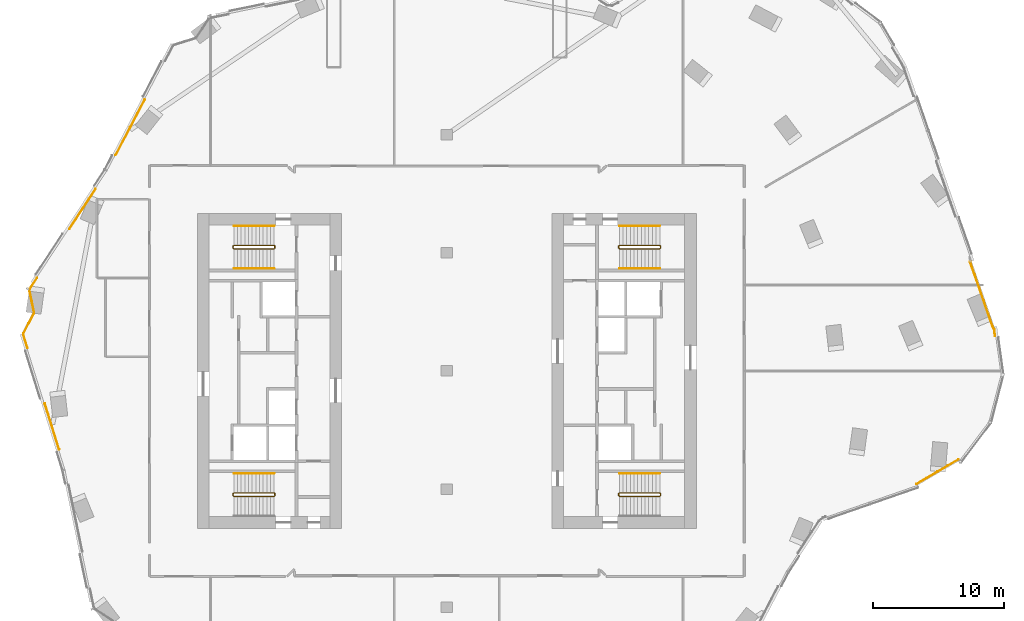
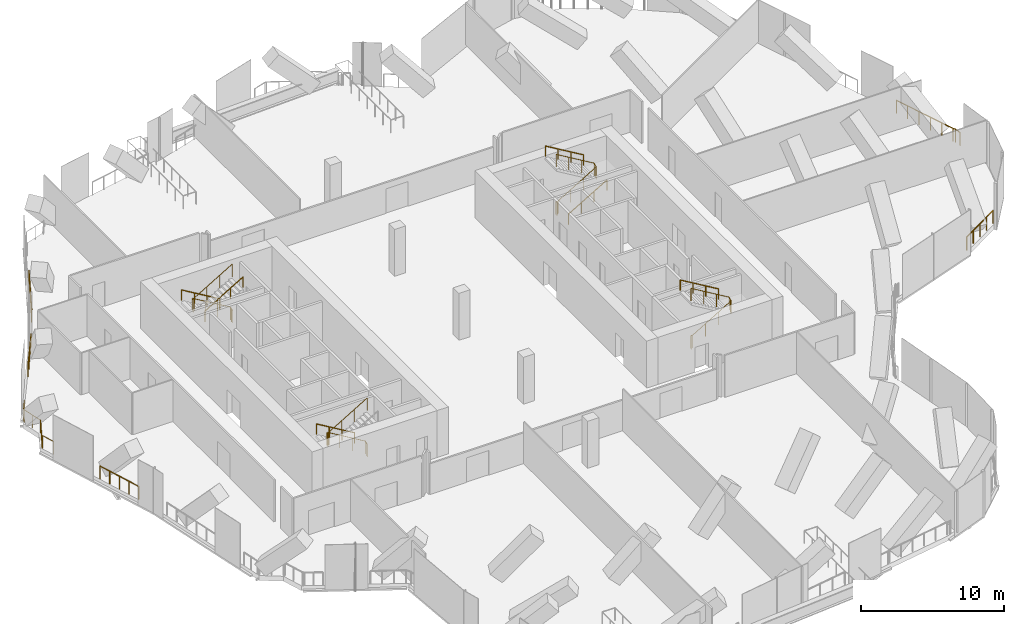
# One storey, part 24 of 26: 16 railings.
"""IFC4 building model written with IfcOpenShell, lengths in metres."""

from ifc_helpers import new_model, si_unit, direction, frame, origin, origin_2d, place, context, subcontext, project, spatial, circle, extrude, material, type_object, element, save


model = new_model("IFC4")

# Units and contexts
model_context = context("Model", 3, precision=1e-05, world=origin(), true_north=direction((0.0, 1.0)))
body_context = subcontext(model_context, "Body", "Model", "MODEL_VIEW")
ifc_project = project(units=[si_unit("LENGTHUNIT", "METRE"), si_unit("AREAUNIT", "SQUARE_METRE"), si_unit("VOLUMEUNIT", "CUBIC_METRE"), si_unit("PLANEANGLEUNIT", "RADIAN"), si_unit("MASSUNIT", "GRAM", prefix="KILO")], contexts=[model_context])

# Site, building, storey
site_placement = place(None, origin())
site = spatial("IfcSite", under=ifc_project, at=site_placement, CompositionType="ELEMENT")
building_placement = place(site_placement, origin())
building = spatial("IfcBuilding", under=site, at=building_placement, Name="Orlundy Tower", CompositionType="ELEMENT")
storey_placement = place(building_placement, frame((0.0, 0.0, 249.5)))
storey = spatial("IfcBuildingStorey", under=building, at=storey_placement, Name="L66", CompositionType="ELEMENT", Elevation=249.5)

# Railings
ifc_material_1 = material(Name="Steel balustrade", Category="steel")
railing_type_1 = type_object("IfcRailingType", Name="Stair Guard 1100", PredefinedType="GUARDRAIL", material=ifc_material_1)
railing_1_placement = place(storey_placement, frame((-13.090087890625, 9.5, 0.0)))
element("IfcRailing", 1, at=railing_1_placement, inside=storey, type_object=railing_type_1, Name="L66 ST-W1 stair guard 1", PredefinedType="GUARDRAIL", context=body_context, shape_type="SweptSolid", body=[
    extrude(circle(Radius=0.02392578125, at=origin_2d()), frame((0.0, 0.0, 1.076171875), z_axis=(0.0, -1.0, 0.0), x_axis=(1.0, 0.0, 0.0)), (0.0, 0.0, 1.0), 0.14990234375),
    extrude(circle(Radius=0.02392578125, at=origin_2d()), frame((0.0, -0.14990234375, 1.076171875), z_axis=(-0.1878875253, 0.754313153044, 0.629054802844), x_axis=(-0.970351222016, -0.241699205484, 0.0)), (0.0, 0.0, 1.0), 0.26513671875),
    extrude(circle(Radius=0.02392578125, at=origin_2d()), frame((-0.0498046875, 0.050048828125, 1.24267578125), z_axis=(-0.859308565015, 0.0, 0.511457515432), x_axis=(0.0, -1.0, 0.0)), (0.0, 0.0, 1.0), 3.58447265625),
    extrude(circle(Radius=0.02392578125, at=origin_2d()), frame((-3.1298828125, 0.050048828125, 3.076171875), z_axis=(-0.707106781187, -0.707106781187, 0.0), x_axis=(0.707106781187, -0.707106781187, 0.0)), (0.0, 0.0, 1.0), 0.07080078125),
    extrude(circle(Radius=0.02392578125, at=origin_2d()), frame((-3.179931640625, 0.0, 3.076171875), z_axis=(0.0, -1.0, 0.0), x_axis=(1.0, 0.0, 0.0)), (0.0, 0.0, 1.0), 0.14990234375),
    extrude(circle(Radius=0.02392578125, at=origin_2d()), frame((-3.179931640625, -0.14990234375, 3.076171875), z_axis=(0.27628659633, -0.27628659633, 0.920506074601), x_axis=(0.707106781187, 0.707106781187, 0.0)), (0.0, 0.0, 1.0), 0.18115234375),
    extrude(circle(Radius=0.02392578125, at=origin_2d()), frame((-3.1298828125, -0.199951171875, 3.24267578125), z_axis=(0.859308565015, 0.0, 0.511457515432), x_axis=(0.0, 1.0, 0.0)), (0.0, 0.0, 1.0), 3.58447265625),
    extrude(circle(Radius=0.02099609375, at=origin_2d()), origin(), (0.0, 0.0, 1.0), 1.052001953125),
    extrude(circle(Radius=0.02099609375, at=origin_2d()), frame((0.0, -0.14990234375, 0.0)), (0.0, 0.0, 1.0), 1.052001953125),
    extrude(circle(Radius=0.02099609375, at=origin_2d()), frame((-0.0498046875, 0.050048828125, 0.166748046875)), (0.0, 0.0, 1.0), 1.052001953125),
    extrude(circle(Radius=0.02099609375, at=origin_2d()), frame((-1.076416015625, 0.050048828125, 0.77783203125)), (0.0, 0.0, 1.0), 1.052001953125),
    extrude(circle(Radius=0.02099609375, at=origin_2d()), frame((-2.103271484375, 0.050048828125, 1.388916015625)), (0.0, 0.0, 1.0), 1.052001953125),
    extrude(circle(Radius=0.02099609375, at=origin_2d()), frame((-3.1298828125, 0.050048828125, 2.0)), (0.0, 0.0, 1.0), 1.052001953125),
    extrude(circle(Radius=0.02099609375, at=origin_2d()), frame((-3.179931640625, 0.0, 2.0)), (0.0, 0.0, 1.0), 1.052001953125),
    extrude(circle(Radius=0.02099609375, at=origin_2d()), frame((-3.179931640625, -0.14990234375, 2.0)), (0.0, 0.0, 1.0), 1.052001953125),
    extrude(circle(Radius=0.02099609375, at=origin_2d()), frame((-3.1298828125, -0.199951171875, 2.166748046875)), (0.0, 0.0, 1.0), 1.052001953125),
    extrude(circle(Radius=0.02099609375, at=origin_2d()), frame((-2.103271484375, -0.199951171875, 2.77783203125)), (0.0, 0.0, 1.0), 1.052001953125),
    extrude(circle(Radius=0.02099609375, at=origin_2d()), frame((-1.076416015625, -0.199951171875, 3.388916015625)), (0.0, 0.0, 1.0), 1.052001953125),
    extrude(circle(Radius=0.02099609375, at=origin_2d()), frame((-0.0498046875, -0.199951171875, 4.0)), (0.0, 0.0, 1.0), 1.052001953125),
])
railing_2_placement = place(storey_placement, frame((-13.090087890625, -9.35009765625, 0.0)))
element("IfcRailing", 2, at=railing_2_placement, inside=storey, type_object=railing_type_1, Name="L66 ST-W2 stair guard 1", PredefinedType="GUARDRAIL", context=body_context, shape_type="SweptSolid", body=[
    extrude(circle(Radius=0.02392578125, at=origin_2d()), frame((0.0, 0.0, 1.076171875), z_axis=(0.0, -1.0, 0.0), x_axis=(1.0, 0.0, 0.0)), (0.0, 0.0, 1.0), 0.14990234375),
    extrude(circle(Radius=0.02392578125, at=origin_2d()), frame((0.0, -0.14990234375, 1.076171875), z_axis=(-0.1878875253, 0.754313153044, 0.629054802844), x_axis=(-0.970351222016, -0.241699205484, 0.0)), (0.0, 0.0, 1.0), 0.26513671875),
    extrude(circle(Radius=0.02392578125, at=origin_2d()), frame((-0.0498046875, 0.050048828125, 1.24267578125), z_axis=(-0.859308565015, 0.0, 0.511457515432), x_axis=(0.0, -1.0, 0.0)), (0.0, 0.0, 1.0), 3.58447265625),
    extrude(circle(Radius=0.02392578125, at=origin_2d()), frame((-3.1298828125, 0.050048828125, 3.076171875), z_axis=(-0.707106781187, -0.707106781187, 0.0), x_axis=(0.707106781187, -0.707106781187, 0.0)), (0.0, 0.0, 1.0), 0.07080078125),
    extrude(circle(Radius=0.02392578125, at=origin_2d()), frame((-3.179931640625, 0.0, 3.076171875), z_axis=(0.0, -1.0, 0.0), x_axis=(1.0, 0.0, 0.0)), (0.0, 0.0, 1.0), 0.14990234375),
    extrude(circle(Radius=0.02392578125, at=origin_2d()), frame((-3.179931640625, -0.14990234375, 3.076171875), z_axis=(0.27628659633, -0.27628659633, 0.920506074601), x_axis=(0.707106781187, 0.707106781187, 0.0)), (0.0, 0.0, 1.0), 0.18115234375),
    extrude(circle(Radius=0.02392578125, at=origin_2d()), frame((-3.1298828125, -0.199951171875, 3.24267578125), z_axis=(0.859308565015, 0.0, 0.511457515432), x_axis=(0.0, 1.0, 0.0)), (0.0, 0.0, 1.0), 3.58447265625),
    extrude(circle(Radius=0.02099609375, at=origin_2d()), origin(), (0.0, 0.0, 1.0), 1.052001953125),
    extrude(circle(Radius=0.02099609375, at=origin_2d()), frame((0.0, -0.14990234375, 0.0)), (0.0, 0.0, 1.0), 1.052001953125),
    extrude(circle(Radius=0.02099609375, at=origin_2d()), frame((-0.0498046875, 0.050048828125, 0.166748046875)), (0.0, 0.0, 1.0), 1.052001953125),
    extrude(circle(Radius=0.02099609375, at=origin_2d()), frame((-1.076416015625, 0.050048828125, 0.77783203125)), (0.0, 0.0, 1.0), 1.052001953125),
    extrude(circle(Radius=0.02099609375, at=origin_2d()), frame((-2.103271484375, 0.050048828125, 1.388916015625)), (0.0, 0.0, 1.0), 1.052001953125),
    extrude(circle(Radius=0.02099609375, at=origin_2d()), frame((-3.1298828125, 0.050048828125, 2.0)), (0.0, 0.0, 1.0), 1.052001953125),
    extrude(circle(Radius=0.02099609375, at=origin_2d()), frame((-3.179931640625, 0.0, 2.0)), (0.0, 0.0, 1.0), 1.052001953125),
    extrude(circle(Radius=0.02099609375, at=origin_2d()), frame((-3.179931640625, -0.14990234375, 2.0)), (0.0, 0.0, 1.0), 1.052001953125),
    extrude(circle(Radius=0.02099609375, at=origin_2d()), frame((-3.1298828125, -0.199951171875, 2.166748046875)), (0.0, 0.0, 1.0), 1.052001953125),
    extrude(circle(Radius=0.02099609375, at=origin_2d()), frame((-2.103271484375, -0.199951171875, 2.77783203125)), (0.0, 0.0, 1.0), 1.052001953125),
    extrude(circle(Radius=0.02099609375, at=origin_2d()), frame((-1.076416015625, -0.199951171875, 3.388916015625)), (0.0, 0.0, 1.0), 1.052001953125),
    extrude(circle(Radius=0.02099609375, at=origin_2d()), frame((-0.0498046875, -0.199951171875, 4.0)), (0.0, 0.0, 1.0), 1.052001953125),
])
railing_3_placement = place(storey_placement, frame((13.090087890625, -9.5, 0.0)))
element("IfcRailing", 3, at=railing_3_placement, inside=storey, type_object=railing_type_1, Name="L66 ST-E1 stair guard 1", PredefinedType="GUARDRAIL", context=body_context, shape_type="SweptSolid", body=[
    extrude(circle(Radius=0.02392578125, at=origin_2d()), frame((0.0, 0.0, 1.076171875), z_axis=(0.0, 1.0, 0.0), x_axis=(-1.0, 0.0, 0.0)), (0.0, 0.0, 1.0), 0.14990234375),
    extrude(circle(Radius=0.02392578125, at=origin_2d()), frame((0.0, 0.14990234375, 1.076171875), z_axis=(0.1878875253, -0.754313153044, 0.629054802844), x_axis=(0.970351222016, 0.241699205484, 0.0)), (0.0, 0.0, 1.0), 0.26513671875),
    extrude(circle(Radius=0.02392578125, at=origin_2d()), frame((0.0498046875, -0.050048828125, 1.24267578125), z_axis=(0.859308565015, 0.0, 0.511457515432), x_axis=(0.0, 1.0, 0.0)), (0.0, 0.0, 1.0), 3.58447265625),
    extrude(circle(Radius=0.02392578125, at=origin_2d()), frame((3.1298828125, -0.050048828125, 3.076171875), z_axis=(0.707106781187, 0.707106781187, 0.0), x_axis=(-0.707106781187, 0.707106781187, 0.0)), (0.0, 0.0, 1.0), 0.07080078125),
    extrude(circle(Radius=0.02392578125, at=origin_2d()), frame((3.179931640625, 0.0, 3.076171875), z_axis=(0.0, 1.0, 0.0), x_axis=(-1.0, 0.0, 0.0)), (0.0, 0.0, 1.0), 0.14990234375),
    extrude(circle(Radius=0.02392578125, at=origin_2d()), frame((3.179931640625, 0.14990234375, 3.076171875), z_axis=(-0.27628659633, 0.27628659633, 0.920506074601), x_axis=(-0.707106781187, -0.707106781187, 0.0)), (0.0, 0.0, 1.0), 0.18115234375),
    extrude(circle(Radius=0.02392578125, at=origin_2d()), frame((3.1298828125, 0.199951171875, 3.24267578125), z_axis=(-0.859308565015, 0.0, 0.511457515432), x_axis=(0.0, -1.0, 0.0)), (0.0, 0.0, 1.0), 3.58447265625),
    extrude(circle(Radius=0.02099609375, at=origin_2d()), origin(), (0.0, 0.0, 1.0), 1.052001953125),
    extrude(circle(Radius=0.02099609375, at=origin_2d()), frame((0.0, 0.14990234375, 0.0)), (0.0, 0.0, 1.0), 1.052001953125),
    extrude(circle(Radius=0.02099609375, at=origin_2d()), frame((0.0498046875, -0.050048828125, 0.166748046875)), (0.0, 0.0, 1.0), 1.052001953125),
    extrude(circle(Radius=0.02099609375, at=origin_2d()), frame((1.076416015625, -0.050048828125, 0.77783203125)), (0.0, 0.0, 1.0), 1.052001953125),
    extrude(circle(Radius=0.02099609375, at=origin_2d()), frame((2.103271484375, -0.050048828125, 1.388916015625)), (0.0, 0.0, 1.0), 1.052001953125),
    extrude(circle(Radius=0.02099609375, at=origin_2d()), frame((3.1298828125, -0.050048828125, 2.0)), (0.0, 0.0, 1.0), 1.052001953125),
    extrude(circle(Radius=0.02099609375, at=origin_2d()), frame((3.179931640625, 0.0, 2.0)), (0.0, 0.0, 1.0), 1.052001953125),
    extrude(circle(Radius=0.02099609375, at=origin_2d()), frame((3.179931640625, 0.14990234375, 2.0)), (0.0, 0.0, 1.0), 1.052001953125),
    extrude(circle(Radius=0.02099609375, at=origin_2d()), frame((3.1298828125, 0.199951171875, 2.166748046875)), (0.0, 0.0, 1.0), 1.052001953125),
    extrude(circle(Radius=0.02099609375, at=origin_2d()), frame((2.103271484375, 0.199951171875, 2.77783203125)), (0.0, 0.0, 1.0), 1.052001953125),
    extrude(circle(Radius=0.02099609375, at=origin_2d()), frame((1.076416015625, 0.199951171875, 3.388916015625)), (0.0, 0.0, 1.0), 1.052001953125),
    extrude(circle(Radius=0.02099609375, at=origin_2d()), frame((0.0498046875, 0.199951171875, 4.0)), (0.0, 0.0, 1.0), 1.052001953125),
])
railing_4_placement = place(storey_placement, frame((13.090087890625, 9.35009765625, 0.0)))
element("IfcRailing", 4, at=railing_4_placement, inside=storey, type_object=railing_type_1, Name="L66 ST-E2 stair guard 1", PredefinedType="GUARDRAIL", context=body_context, shape_type="SweptSolid", body=[
    extrude(circle(Radius=0.02392578125, at=origin_2d()), frame((0.0, 0.0, 1.076171875), z_axis=(0.0, 1.0, 0.0), x_axis=(-1.0, 0.0, 0.0)), (0.0, 0.0, 1.0), 0.14990234375),
    extrude(circle(Radius=0.02392578125, at=origin_2d()), frame((0.0, 0.14990234375, 1.076171875), z_axis=(0.1878875253, -0.754313153044, 0.629054802844), x_axis=(0.970351222016, 0.241699205484, 0.0)), (0.0, 0.0, 1.0), 0.26513671875),
    extrude(circle(Radius=0.02392578125, at=origin_2d()), frame((0.0498046875, -0.050048828125, 1.24267578125), z_axis=(0.859308565015, 0.0, 0.511457515432), x_axis=(0.0, 1.0, 0.0)), (0.0, 0.0, 1.0), 3.58447265625),
    extrude(circle(Radius=0.02392578125, at=origin_2d()), frame((3.1298828125, -0.050048828125, 3.076171875), z_axis=(0.707106781187, 0.707106781187, 0.0), x_axis=(-0.707106781187, 0.707106781187, 0.0)), (0.0, 0.0, 1.0), 0.07080078125),
    extrude(circle(Radius=0.02392578125, at=origin_2d()), frame((3.179931640625, 0.0, 3.076171875), z_axis=(0.0, 1.0, 0.0), x_axis=(-1.0, 0.0, 0.0)), (0.0, 0.0, 1.0), 0.14990234375),
    extrude(circle(Radius=0.02392578125, at=origin_2d()), frame((3.179931640625, 0.14990234375, 3.076171875), z_axis=(-0.27628659633, 0.27628659633, 0.920506074601), x_axis=(-0.707106781187, -0.707106781187, 0.0)), (0.0, 0.0, 1.0), 0.18115234375),
    extrude(circle(Radius=0.02392578125, at=origin_2d()), frame((3.1298828125, 0.199951171875, 3.24267578125), z_axis=(-0.859308565015, 0.0, 0.511457515432), x_axis=(0.0, -1.0, 0.0)), (0.0, 0.0, 1.0), 3.58447265625),
    extrude(circle(Radius=0.02099609375, at=origin_2d()), origin(), (0.0, 0.0, 1.0), 1.052001953125),
    extrude(circle(Radius=0.02099609375, at=origin_2d()), frame((0.0, 0.14990234375, 0.0)), (0.0, 0.0, 1.0), 1.052001953125),
    extrude(circle(Radius=0.02099609375, at=origin_2d()), frame((0.0498046875, -0.050048828125, 0.166748046875)), (0.0, 0.0, 1.0), 1.052001953125),
    extrude(circle(Radius=0.02099609375, at=origin_2d()), frame((1.076416015625, -0.050048828125, 0.77783203125)), (0.0, 0.0, 1.0), 1.052001953125),
    extrude(circle(Radius=0.02099609375, at=origin_2d()), frame((2.103271484375, -0.050048828125, 1.388916015625)), (0.0, 0.0, 1.0), 1.052001953125),
    extrude(circle(Radius=0.02099609375, at=origin_2d()), frame((3.1298828125, -0.050048828125, 2.0)), (0.0, 0.0, 1.0), 1.052001953125),
    extrude(circle(Radius=0.02099609375, at=origin_2d()), frame((3.179931640625, 0.0, 2.0)), (0.0, 0.0, 1.0), 1.052001953125),
    extrude(circle(Radius=0.02099609375, at=origin_2d()), frame((3.179931640625, 0.14990234375, 2.0)), (0.0, 0.0, 1.0), 1.052001953125),
    extrude(circle(Radius=0.02099609375, at=origin_2d()), frame((3.1298828125, 0.199951171875, 2.166748046875)), (0.0, 0.0, 1.0), 1.052001953125),
    extrude(circle(Radius=0.02099609375, at=origin_2d()), frame((2.103271484375, 0.199951171875, 2.77783203125)), (0.0, 0.0, 1.0), 1.052001953125),
    extrude(circle(Radius=0.02099609375, at=origin_2d()), frame((1.076416015625, 0.199951171875, 3.388916015625)), (0.0, 0.0, 1.0), 1.052001953125),
    extrude(circle(Radius=0.02099609375, at=origin_2d()), frame((0.0498046875, 0.199951171875, 4.0)), (0.0, 0.0, 1.0), 1.052001953125),
])
ifc_material_2 = material(Name="Steel handrail", Category="steel")
railing_type_2 = type_object("IfcRailingType", Name="Stair Handrail 900", PredefinedType="HANDRAIL", material=ifc_material_2)
railing_5_placement = place(storey_placement, frame((-13.139892578125, 11.050048828125, 0.166748046875)))
element("IfcRailing", 5, at=railing_5_placement, inside=storey, type_object=railing_type_2, Name="L66 ST-W1 stair handrail 1", PredefinedType="HANDRAIL", context=body_context, shape_type="SweptSolid", body=[
    extrude(circle(Radius=0.02392578125, at=origin_2d()), frame((0.0, 0.0, 0.8759765625), z_axis=(-0.859308565015, 0.0, 0.511457515432), x_axis=(0.0, -1.0, 0.0)), (0.0, 0.0, 1.0), 3.58447265625),
    extrude(circle(Radius=0.02099609375, at=origin_2d()), origin(), (0.0, 0.0, 1.0), 0.851806640625),
    extrude(circle(Radius=0.02099609375, at=origin_2d()), frame((-1.026611328125, 0.0, 0.611083984375)), (0.0, 0.0, 1.0), 0.851806640625),
    extrude(circle(Radius=0.02099609375, at=origin_2d()), frame((-2.053466796875, 0.0, 1.22216796875)), (0.0, 0.0, 1.0), 0.851806640625),
    extrude(circle(Radius=0.02099609375, at=origin_2d()), frame((-3.080078125, 0.0, 1.833251953125)), (0.0, 0.0, 1.0), 0.851806640625),
])
railing_6_placement = place(storey_placement, frame((-16.219970703125, 7.800048828125, 2.166748046875)))
element("IfcRailing", 6, at=railing_6_placement, inside=storey, type_object=railing_type_2, Name="L66 ST-W1 stair handrail 2", PredefinedType="HANDRAIL", context=body_context, shape_type="SweptSolid", body=[
    extrude(circle(Radius=0.02392578125, at=origin_2d()), frame((0.0, 0.0, 0.8759765625), z_axis=(0.859308565015, 0.0, 0.511457515432), x_axis=(0.0, 1.0, 0.0)), (0.0, 0.0, 1.0), 3.58447265625),
    extrude(circle(Radius=0.02099609375, at=origin_2d()), origin(), (0.0, 0.0, 1.0), 0.851806640625),
    extrude(circle(Radius=0.02099609375, at=origin_2d()), frame((1.026611328125, 0.0, 0.611083984375)), (0.0, 0.0, 1.0), 0.851806640625),
    extrude(circle(Radius=0.02099609375, at=origin_2d()), frame((2.053466796875, 0.0, 1.22216796875)), (0.0, 0.0, 1.0), 0.851806640625),
    extrude(circle(Radius=0.02099609375, at=origin_2d()), frame((3.080078125, 0.0, 1.833251953125)), (0.0, 0.0, 1.0), 0.851806640625),
])
for number, where, name in (
    (7, (-13.139892578125, -7.800048828125, 0.166748046875), "L66 ST-W2 stair handrail 1"),
    (8, (16.219970703125, -7.800048828125, 2.166748046875), "L66 ST-E1 stair handrail 2"),
):
    element("IfcRailing", number, at=place(storey_placement, frame(where)), inside=storey, type_object=railing_type_2, Name=name, PredefinedType="HANDRAIL", context=body_context, shape_type="SweptSolid", body=[
        extrude(circle(Radius=0.02392578125, at=origin_2d()), frame((0.0, 0.0, 0.8759765625), z_axis=(-0.859308565015, 0.0, 0.511457515432), x_axis=(0.0, -1.0, 0.0)), (0.0, 0.0, 1.0), 3.58447265625),
        extrude(circle(Radius=0.02099609375, at=origin_2d()), origin(), (0.0, 0.0, 1.0), 0.851806640625),
        extrude(circle(Radius=0.02099609375, at=origin_2d()), frame((-1.026611328125, 0.0, 0.611083984375)), (0.0, 0.0, 1.0), 0.851806640625),
        extrude(circle(Radius=0.02099609375, at=origin_2d()), frame((-2.053466796875, 0.0, 1.22216796875)), (0.0, 0.0, 1.0), 0.851806640625),
        extrude(circle(Radius=0.02099609375, at=origin_2d()), frame((-3.080078125, 0.0, 1.833251953125)), (0.0, 0.0, 1.0), 0.851806640625),
    ])
railing_7_placement = place(storey_placement, frame((13.139892578125, 7.800048828125, 0.166748046875)))
element("IfcRailing", 9, at=railing_7_placement, inside=storey, type_object=railing_type_2, Name="L66 ST-E2 stair handrail 1", PredefinedType="HANDRAIL", context=body_context, shape_type="SweptSolid", body=[
    extrude(circle(Radius=0.02392578125, at=origin_2d()), frame((0.0, 0.0, 0.8759765625), z_axis=(0.859308565015, 0.0, 0.511457515432), x_axis=(0.0, 1.0, 0.0)), (0.0, 0.0, 1.0), 3.58447265625),
    extrude(circle(Radius=0.02099609375, at=origin_2d()), origin(), (0.0, 0.0, 1.0), 0.851806640625),
    extrude(circle(Radius=0.02099609375, at=origin_2d()), frame((1.026611328125, 0.0, 0.611083984375)), (0.0, 0.0, 1.0), 0.851806640625),
    extrude(circle(Radius=0.02099609375, at=origin_2d()), frame((2.053466796875, 0.0, 1.22216796875)), (0.0, 0.0, 1.0), 0.851806640625),
    extrude(circle(Radius=0.02099609375, at=origin_2d()), frame((3.080078125, 0.0, 1.833251953125)), (0.0, 0.0, 1.0), 0.851806640625),
])
railing_8_placement = place(storey_placement, frame((16.219970703125, 11.050048828125, 2.166748046875)))
element("IfcRailing", 10, at=railing_8_placement, inside=storey, type_object=railing_type_2, Name="L66 ST-E2 stair handrail 2", PredefinedType="HANDRAIL", context=body_context, shape_type="SweptSolid", body=[
    extrude(circle(Radius=0.02392578125, at=origin_2d()), frame((0.0, 0.0, 0.8759765625), z_axis=(-0.859308565015, 0.0, 0.511457515432), x_axis=(0.0, -1.0, 0.0)), (0.0, 0.0, 1.0), 3.58447265625),
    extrude(circle(Radius=0.02099609375, at=origin_2d()), origin(), (0.0, 0.0, 1.0), 0.851806640625),
    extrude(circle(Radius=0.02099609375, at=origin_2d()), frame((-1.026611328125, 0.0, 0.611083984375)), (0.0, 0.0, 1.0), 0.851806640625),
    extrude(circle(Radius=0.02099609375, at=origin_2d()), frame((-2.053466796875, 0.0, 1.22216796875)), (0.0, 0.0, 1.0), 0.851806640625),
    extrude(circle(Radius=0.02099609375, at=origin_2d()), frame((-3.080078125, 0.0, 1.833251953125)), (0.0, 0.0, 1.0), 0.851806640625),
])
ifc_material_3 = material(Name="Stainless steel bronze finish", Category="steel")
railing_type_3 = type_object("IfcRailingType", Name="TG1 terrace guard", PredefinedType="GUARDRAIL", material=ifc_material_3)
railing_9_placement = place(storey_placement, frame((39.865234375, 8.298583984375, 0.0)))
element("IfcRailing", 11, at=railing_9_placement, inside=storey, type_object=railing_type_3, Name="Guard TG-L66-E03", PredefinedType="GUARDRAIL", context=body_context, shape_type="SweptSolid", body=[
    extrude(circle(Radius=0.02490234375, at=origin_2d()), frame((0.0, 0.0, 1.09521484375), z_axis=(0.328269900961, -0.944583967746, 0.0), x_axis=(0.944583967746, 0.328269900961, 0.0)), (0.0, 0.0, 1.0), 5.25),
    extrude(circle(Radius=0.02490234375, at=origin_2d()), frame((1.723388671875, -4.958984375, 1.09521484375), z_axis=(0.524873431164, -0.851180287165, 0.0), x_axis=(0.851180287165, 0.524873431164, 0.0)), (0.0, 0.0, 1.0), 0.193115234375),
    extrude(circle(Radius=0.02490234375, at=origin_2d()), frame((1.82470703125, -5.123291015625, 1.09521484375), z_axis=(0.138098600526, -0.990418485557, 0.0), x_axis=(0.990418485557, 0.138098600526, 0.0)), (0.0, 0.0, 1.0), 0.514404296875),
    extrude(circle(Radius=0.02001953125, at=origin_2d()), origin(), (0.0, 0.0, 1.0), 1.070068359375),
    extrude(circle(Radius=0.02001953125, at=origin_2d()), frame((0.3447265625, -0.99169921875, 0.0)), (0.0, 0.0, 1.0), 1.070068359375),
    extrude(circle(Radius=0.02001953125, at=origin_2d()), frame((0.689453125, -1.983642578125, 0.0)), (0.0, 0.0, 1.0), 1.070068359375),
    extrude(circle(Radius=0.02001953125, at=origin_2d()), frame((1.033935546875, -2.975341796875, 0.0)), (0.0, 0.0, 1.0), 1.070068359375),
    extrude(circle(Radius=0.02001953125, at=origin_2d()), frame((1.378662109375, -3.96728515625, 0.0)), (0.0, 0.0, 1.0), 1.070068359375),
    extrude(circle(Radius=0.02001953125, at=origin_2d()), frame((1.723388671875, -4.958984375, 0.0)), (0.0, 0.0, 1.0), 1.070068359375),
    extrude(circle(Radius=0.02001953125, at=origin_2d()), frame((1.82470703125, -5.123291015625, 0.0)), (0.0, 0.0, 1.0), 1.070068359375),
    extrude(circle(Radius=0.02001953125, at=origin_2d()), frame((1.895751953125, -5.6328125, 0.0)), (0.0, 0.0, 1.0), 1.070068359375),
])
railing_10_placement = place(storey_placement, frame((-31.9267578125, 1.734619140625, 0.0)))
element("IfcRailing", 12, at=railing_10_placement, inside=storey, type_object=railing_type_3, Name="Guard TG-L66-E04", PredefinedType="GUARDRAIL", context=body_context, shape_type="SweptSolid", body=[
    extrude(circle(Radius=0.02490234375, at=origin_2d()), frame((0.0, 0.0, 1.09521484375), z_axis=(-0.297972944214, 0.954574315869, 0.0), x_axis=(-0.954574315869, -0.297972944214, 0.0)), (0.0, 0.0, 1.0), 1.05859375),
    extrude(circle(Radius=0.02490234375, at=origin_2d()), frame((-0.3154296875, 1.010498046875, 1.09521484375), z_axis=(0.069141071765, 0.997606892616, 0.0), x_axis=(-0.997606892616, 0.069141071765, 0.0)), (0.0, 0.0, 1.0), 0.12353515625),
    extrude(circle(Radius=0.02490234375, at=origin_2d()), frame((-0.306884765625, 1.1337890625, 1.09521484375), z_axis=(0.464483097661, 0.885581984905, 0.0), x_axis=(-0.885581984905, 0.464483097661, 0.0)), (0.0, 0.0, 1.0), 1.705078125),
    extrude(circle(Radius=0.02490234375, at=origin_2d()), frame((0.485107421875, 2.643798828125, 1.09521484375), z_axis=(0.139301230674, 0.990250052832, 0.0), x_axis=(-0.990250052832, 0.139301230674, 0.0)), (0.0, 0.0, 1.0), 0.08056640625),
    extrude(circle(Radius=0.02490234375, at=origin_2d()), frame((0.496337890625, 2.7236328125, 1.09521484375), z_axis=(-0.20242085398, 0.979298625484, 0.0), x_axis=(-0.979298625484, -0.20242085398, 0.0)), (0.0, 0.0, 1.0), 1.704345703125),
    extrude(circle(Radius=0.02490234375, at=origin_2d()), frame((0.1513671875, 4.392578125, 1.09521484375), z_axis=(0.207504208355, 0.978234125102, 0.0), x_axis=(-0.978234125102, 0.207504208355, 0.0)), (0.0, 0.0, 1.0), 0.12353515625),
    extrude(circle(Radius=0.02490234375, at=origin_2d()), frame((0.177001953125, 4.513427734375, 1.09521484375), z_axis=(0.549603155161, 0.835425862561, 0.0), x_axis=(-0.835425862561, 0.549603155161, 0.0)), (0.0, 0.0, 1.0), 1.0078125),
    extrude(circle(Radius=0.02001953125, at=origin_2d()), origin(), (0.0, 0.0, 1.0), 1.070068359375),
    extrude(circle(Radius=0.02001953125, at=origin_2d()), frame((-0.3154296875, 1.010498046875, 0.0)), (0.0, 0.0, 1.0), 1.070068359375),
    extrude(circle(Radius=0.02001953125, at=origin_2d()), frame((-0.306884765625, 1.1337890625, 0.0)), (0.0, 0.0, 1.0), 1.070068359375),
    extrude(circle(Radius=0.02001953125, at=origin_2d()), frame((0.089111328125, 1.888671875, 0.0)), (0.0, 0.0, 1.0), 1.070068359375),
    extrude(circle(Radius=0.02001953125, at=origin_2d()), frame((0.485107421875, 2.643798828125, 0.0)), (0.0, 0.0, 1.0), 1.070068359375),
    extrude(circle(Radius=0.02001953125, at=origin_2d()), frame((0.496337890625, 2.7236328125, 0.0)), (0.0, 0.0, 1.0), 1.070068359375),
    extrude(circle(Radius=0.02001953125, at=origin_2d()), frame((0.32373046875, 3.55810546875, 0.0)), (0.0, 0.0, 1.0), 1.070068359375),
    extrude(circle(Radius=0.02001953125, at=origin_2d()), frame((0.1513671875, 4.392578125, 0.0)), (0.0, 0.0, 1.0), 1.070068359375),
    extrude(circle(Radius=0.02001953125, at=origin_2d()), frame((0.177001953125, 4.513427734375, 0.0)), (0.0, 0.0, 1.0), 1.070068359375),
    extrude(circle(Radius=0.02001953125, at=origin_2d()), frame((0.73095703125, 5.35546875, 0.0)), (0.0, 0.0, 1.0), 1.070068359375),
])
railing_11_placement = place(storey_placement, frame((-25.213134765625, 16.430908203125, 0.0)))
element("IfcRailing", 13, at=railing_11_placement, inside=storey, type_object=railing_type_3, Name="Guard TG-L66-E09", PredefinedType="GUARDRAIL", context=body_context, shape_type="SweptSolid", body=[
    extrude(circle(Radius=0.02490234375, at=origin_2d()), frame((0.0, 0.0, 1.09521484375), z_axis=(0.464326318134, 0.885664197248, 0.0), x_axis=(-0.885664197248, 0.464326318134, 0.0)), (0.0, 0.0, 1.0), 4.7705078125),
    extrude(circle(Radius=0.02001953125, at=origin_2d()), origin(), (0.0, 0.0, 1.0), 1.070068359375),
    extrude(circle(Radius=0.02001953125, at=origin_2d()), frame((0.5537109375, 1.05615234375, 0.0)), (0.0, 0.0, 1.0), 1.070068359375),
    extrude(circle(Radius=0.02001953125, at=origin_2d()), frame((1.107421875, 2.112548828125, 0.0)), (0.0, 0.0, 1.0), 1.070068359375),
    extrude(circle(Radius=0.02001953125, at=origin_2d()), frame((1.661376953125, 3.1689453125, 0.0)), (0.0, 0.0, 1.0), 1.070068359375),
    extrude(circle(Radius=0.02001953125, at=origin_2d()), frame((2.215087890625, 4.22509765625, 0.0)), (0.0, 0.0, 1.0), 1.070068359375),
])
railing_12_placement = place(storey_placement, frame((38.983154296875, -6.7333984375, 0.0)))
element("IfcRailing", 14, at=railing_12_placement, inside=storey, type_object=railing_type_3, Name="Guard TG-L66-E013", PredefinedType="GUARDRAIL", context=body_context, shape_type="SweptSolid", body=[
    extrude(circle(Radius=0.02490234375, at=origin_2d()), frame((0.0, 0.0, 1.09521484375), z_axis=(-0.862267597763, -0.506452949293, 0.0), x_axis=(0.506452949293, -0.862267597763, 0.0)), (0.0, 0.0, 1.0), 3.70654296875),
    extrude(circle(Radius=0.02001953125, at=origin_2d()), origin(), (0.0, 0.0, 1.0), 1.070068359375),
    extrude(circle(Radius=0.02001953125, at=origin_2d()), frame((-0.799072265625, -0.46923828125, 0.0)), (0.0, 0.0, 1.0), 1.070068359375),
    extrude(circle(Radius=0.02001953125, at=origin_2d()), frame((-1.59814453125, -0.9384765625, 0.0)), (0.0, 0.0, 1.0), 1.070068359375),
    extrude(circle(Radius=0.02001953125, at=origin_2d()), frame((-2.39697265625, -1.407958984375, 0.0)), (0.0, 0.0, 1.0), 1.070068359375),
    extrude(circle(Radius=0.02001953125, at=origin_2d()), frame((-3.196044921875, -1.877197265625, 0.0)), (0.0, 0.0, 1.0), 1.070068359375),
])
railing_13_placement = place(storey_placement, frame((-29.515380859375, -5.989990234375, 0.0)))
element("IfcRailing", 15, at=railing_13_placement, inside=storey, type_object=railing_type_3, Name="Guard TG-L66-E014", PredefinedType="GUARDRAIL", context=body_context, shape_type="SweptSolid", body=[
    extrude(circle(Radius=0.02490234375, at=origin_2d()), frame((0.0, 0.0, 1.09521484375), z_axis=(-0.298014272566, 0.954561414131, 0.0), x_axis=(-0.954561414131, -0.298014272566, 0.0)), (0.0, 0.0, 1.0), 3.67919921875),
    extrude(circle(Radius=0.02001953125, at=origin_2d()), origin(), (0.0, 0.0, 1.0), 1.070068359375),
    extrude(circle(Radius=0.02001953125, at=origin_2d()), frame((-0.274169921875, 0.8779296875, 0.0)), (0.0, 0.0, 1.0), 1.070068359375),
    extrude(circle(Radius=0.02001953125, at=origin_2d()), frame((-0.54833984375, 1.755859375, 0.0)), (0.0, 0.0, 1.0), 1.070068359375),
    extrude(circle(Radius=0.02001953125, at=origin_2d()), frame((-0.822265625, 2.634033203125, 0.0)), (0.0, 0.0, 1.0), 1.070068359375),
    extrude(circle(Radius=0.02001953125, at=origin_2d()), frame((-1.096435546875, 3.511962890625, 0.0)), (0.0, 0.0, 1.0), 1.070068359375),
])
railing_14_placement = place(storey_placement, frame((-28.74365234375, 10.818115234375, 0.0)))
element("IfcRailing", 16, at=railing_14_placement, inside=storey, type_object=railing_type_3, Name="Guard TG-L66-E016", PredefinedType="GUARDRAIL", context=body_context, shape_type="SweptSolid", body=[
    extrude(circle(Radius=0.02490234375, at=origin_2d()), frame((0.0, 0.0, 1.09521484375), z_axis=(0.549538945636, 0.835468100665, 0.0), x_axis=(-0.835468100665, 0.549538945636, 0.0)), (0.0, 0.0, 1.0), 3.642578125),
    extrude(circle(Radius=0.02001953125, at=origin_2d()), origin(), (0.0, 0.0, 1.0), 1.070068359375),
    extrude(circle(Radius=0.02001953125, at=origin_2d()), frame((0.50048828125, 0.7607421875, 0.0)), (0.0, 0.0, 1.0), 1.070068359375),
    extrude(circle(Radius=0.02001953125, at=origin_2d()), frame((1.0009765625, 1.521484375, 0.0)), (0.0, 0.0, 1.0), 1.070068359375),
    extrude(circle(Radius=0.02001953125, at=origin_2d()), frame((1.501220703125, 2.282470703125, 0.0)), (0.0, 0.0, 1.0), 1.070068359375),
    extrude(circle(Radius=0.02001953125, at=origin_2d()), frame((2.001708984375, 3.043212890625, 0.0)), (0.0, 0.0, 1.0), 1.070068359375),
])

save(model, "model.ifc")
